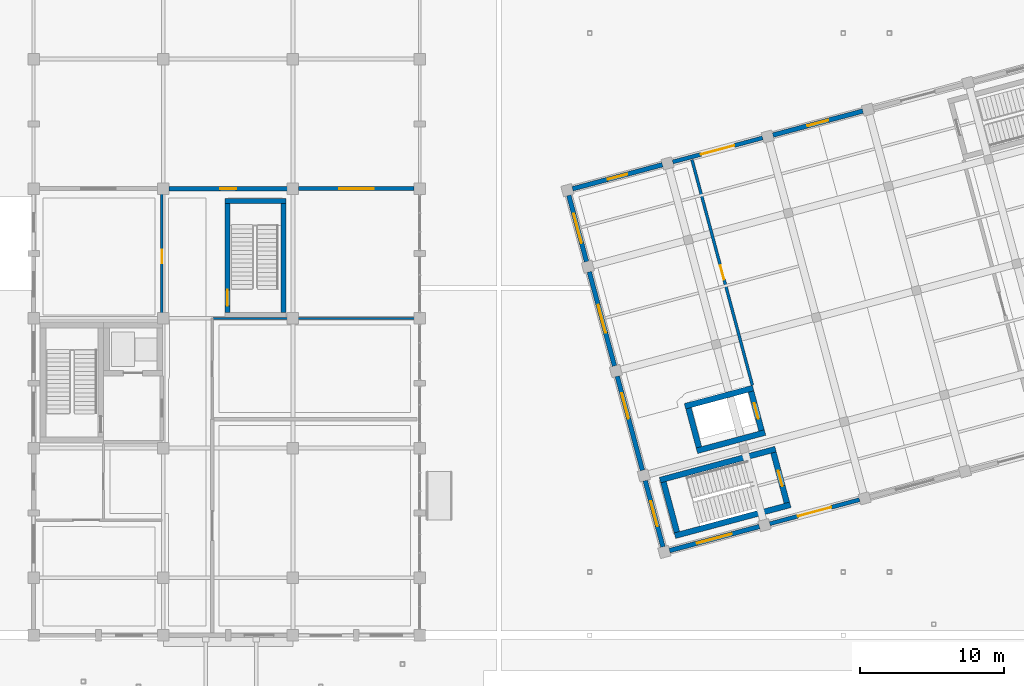
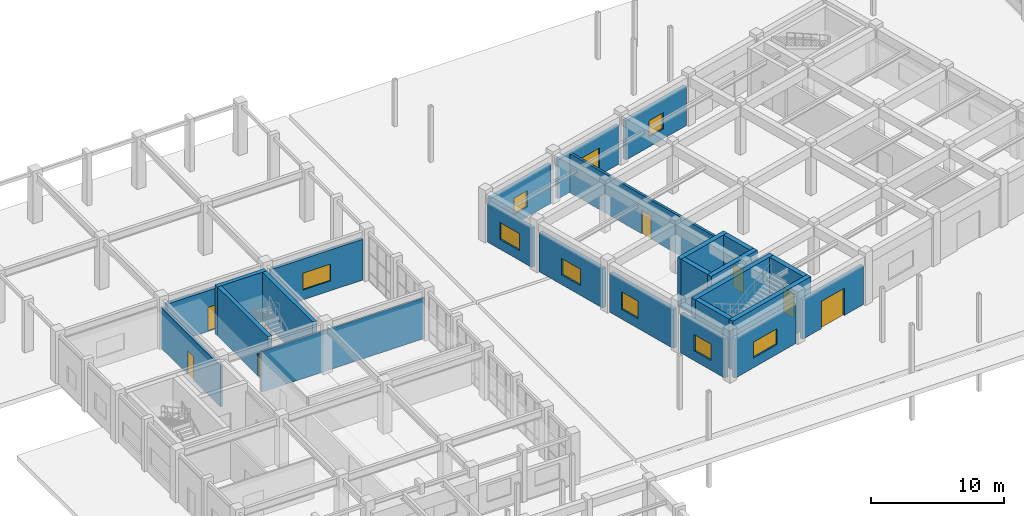
# One storey, part 35 of 47: 25 walls, 8 doors, 8 windows, 16 openings.
"""IFC4 building model written with IfcOpenShell, lengths in metres."""

from ifc_helpers import new_model, si_unit, direction, frame, frame_2d, origin, place, context, subcontext, project, spatial, rectangle, extrude, material, layer, layer_set, type_object, element, fill, save


model = new_model("IFC4")

# Units and contexts
model_context = context("Model", 3, precision=1e-05, world=origin(), true_north=direction((0.0, 1.0)))
body_context = subcontext(model_context, "Body", "Model", "MODEL_VIEW")
ifc_project = project(units=[si_unit("LENGTHUNIT", "METRE"), si_unit("AREAUNIT", "SQUARE_METRE"), si_unit("VOLUMEUNIT", "CUBIC_METRE"), si_unit("PLANEANGLEUNIT", "RADIAN"), si_unit("MASSUNIT", "GRAM", prefix="KILO")], contexts=[model_context])

# Site, building, storey
site_placement = place(None, origin())
site = spatial("IfcSite", under=ifc_project, at=site_placement, CompositionType="ELEMENT")
building_placement = place(site_placement, origin())
building = spatial("IfcBuilding", under=site, at=building_placement, Name="Ventoquebrada Cableway Terminal", CompositionType="ELEMENT")
storey_placement = place(building_placement, origin())
storey = spatial("IfcBuildingStorey", under=building, at=storey_placement, Name="L00", CompositionType="ELEMENT", Elevation=0.0)

# Wall
ifc_material_1 = material(Name="Concrete C40/50", Category="concrete")
ifc_layer_1 = layer(ifc_material_1, 0.39990234375)
ifc_layer_set_1 = layer_set([ifc_layer_1], Name="Concrete C40/50")
wall_type_1 = type_object("IfcWallType", Name="WL-CR1", PredefinedType="SHEAR", material=ifc_layer_set_1)
wall_1_placement = place(storey_placement, frame((52.7109375, 70.912109375, 0.0), z_axis=(0.0, 0.0, 1.0), x_axis=(0.965903141159, 0.258903692322, 0.0)))
element("IfcWall", 1, at=wall_1_placement, inside=storey, type_object=wall_type_1, Name="Core shear wall IW-0097", PredefinedType="SHEAR", context=body_context, shape_type="SweptSolid", body=[
    extrude(rectangle(XDim=8.300048828125, YDim=0.39990234375, at=frame_2d((4.14990234375, 0.0))), origin(), (0.0, 0.0, 1.0), 4.489990234375),
])

# Wall, opening, door
wall_2_placement = place(storey_placement, frame((60.48291015625, 73.201904296875, 0.0), z_axis=(0.0, 0.0, 1.0), x_axis=(-0.258553052639, 0.965997059504, 0.0)))
wall_2 = element("IfcWall", 2, at=wall_2_placement, inside=storey, type_object=wall_type_1, Name="Core shear wall IW-0098", PredefinedType="SHEAR", context=body_context, shape_type="SweptSolid", body=[
    extrude(rectangle(XDim=3.600341796875, YDim=0.39990234375, at=frame_2d((1.80029296875, 0.0))), origin(), (0.0, 0.0, 1.0), 4.489990234375),
])
opening_1_placement = place(wall_2_placement, frame((1.199951171875, 0.0, 0.0)))
opening_1 = element("IfcOpeningElement", 3, at=opening_1_placement, cuts=wall_2, Name="Opening D-012", PredefinedType="OPENING", context=body_context, shape_type="SweptSolid", body=[
    extrude(rectangle(XDim=1.10009765625, YDim=2.199951171875, at=frame_2d((0.550048828125, 1.10009765625))), frame((0.0, 0.2099609375, 0.0), z_axis=(0.0, -1.0, 0.0), x_axis=(1.0, 0.0, 0.0)), (0.0, 0.0, 1.0), 0.419921875),
])
ifc_material_2 = material(Name="Galvanized fire-rated steel door assembly", Category="steel")
door_type_1 = type_object("IfcDoorType", Name="DT-IN05", OperationType="SINGLE_SWING_LEFT", PredefinedType="DOOR", material=ifc_material_2)
door_1_placement = place(opening_1_placement, origin())
door_1 = element("IfcDoor", 4, at=door_1_placement, inside=storey, type_object=door_type_1, Name="Core K2-S stair fire door D-012", OperationType="SINGLE_SWING_LEFT", OverallHeight=2.199951171875, OverallWidth=1.10009765625, PredefinedType="DOOR", context=body_context, shape_type="SweptSolid", body=[
    extrude(rectangle(XDim=1.10009765625, YDim=2.199951171875, at=frame_2d((0.550048828125, 1.10009765625))), frame((0.0, 0.02490234375, 0.0), z_axis=(0.0, -1.0, 0.0), x_axis=(1.0, 0.0, 0.0)), (0.0, 0.0, 1.0), 0.050048828125),
])
fill(opening_1, door_1)

# Walls
wall_3_placement = place(storey_placement, frame((59.693115234375, 76.925048828125, 0.0), z_axis=(0.0, 0.0, 1.0), x_axis=(-0.965895785046, -0.258931134532, 0.0)))
element("IfcWall", 5, at=wall_3_placement, inside=storey, type_object=wall_type_1, Name="Core shear wall IW-0099", PredefinedType="SHEAR", context=body_context, shape_type="SweptSolid", body=[
    extrude(rectangle(XDim=8.300048828125, YDim=0.39990234375, at=frame_2d((4.14990234375, 0.0))), origin(), (0.0, 0.0, 1.0), 4.489990234375),
])
wall_4_placement = place(storey_placement, frame((51.9208984375, 74.635009765625, 0.0), z_axis=(0.0, 0.0, 1.0), x_axis=(0.258616326312, -0.965980121827, 0.0)))
element("IfcWall", 6, at=wall_4_placement, inside=storey, type_object=wall_type_1, Name="Core shear wall IW-0100", PredefinedType="SHEAR", context=body_context, shape_type="SweptSolid", body=[
    extrude(rectangle(XDim=3.6005859375, YDim=0.39990234375, at=frame_2d((1.80029296875, 0.0))), origin(), (0.0, 0.0, 1.0), 4.489990234375),
])
wall_5_placement = place(storey_placement, frame((54.237060546875, 76.80810546875, 0.0), z_axis=(0.0, 0.0, 1.0), x_axis=(0.96589421857, 0.258936977917, 0.0)))
element("IfcWall", 7, at=wall_5_placement, inside=storey, type_object=wall_type_1, Name="Core shear wall IW-0101", PredefinedType="SHEAR", context=body_context, shape_type="SweptSolid", body=[
    extrude(rectangle(XDim=4.900146484375, YDim=0.39990234375, at=frame_2d((2.4501953125, 0.0))), origin(), (0.0, 0.0, 1.0), 4.489990234375),
])

# Wall, opening, door
wall_6_placement = place(storey_placement, frame((58.72509765625, 78.218017578125, 0.0), z_axis=(0.0, 0.0, 1.0), x_axis=(-0.258585009686, 0.965988505504, 0.0)))
wall_6 = element("IfcWall", 8, at=wall_6_placement, inside=storey, type_object=wall_type_1, Name="Core shear wall IW-0102", PredefinedType="SHEAR", context=body_context, shape_type="SweptSolid", body=[
    extrude(rectangle(XDim=2.80029296875, YDim=0.39990234375, at=frame_2d((1.400146484375, 0.0))), origin(), (0.0, 0.0, 1.0), 4.489990234375),
])
opening_2_placement = place(wall_6_placement, frame((0.85009765625, 0.0, 0.0)))
opening_2 = element("IfcOpeningElement", 9, at=opening_2_placement, cuts=wall_6, Name="Opening LD-012", PredefinedType="OPENING", context=body_context, shape_type="SweptSolid", body=[
    extrude(rectangle(XDim=1.10009765625, YDim=2.199951171875, at=frame_2d((0.550048828125, 1.10009765625))), frame((0.0, 0.2099609375, 0.0), z_axis=(0.0, -1.0, 0.0), x_axis=(1.0, 0.0, 0.0)), (0.0, 0.0, 1.0), 0.419921875),
])
ifc_material_3 = material(Name="Brushed stainless steel Grade 316", Category="steel")
door_type_2 = type_object("IfcDoorType", Name="DT-LD01", OperationType="SLIDING_TO_LEFT", PredefinedType="DOOR", material=ifc_material_3)
door_2_placement = place(opening_2_placement, origin())
door_2 = element("IfcDoor", 10, at=door_2_placement, inside=storey, type_object=door_type_2, Name="Lift landing sliding door LD-012", OperationType="SLIDING_TO_LEFT", OverallHeight=2.199951171875, OverallWidth=1.10009765625, PredefinedType="DOOR", context=body_context, shape_type="SweptSolid", body=[
    extrude(rectangle(XDim=1.10009765625, YDim=2.199951171875, at=frame_2d((0.550048828125, 1.10009765625))), frame((0.0, 0.02490234375, 0.0), z_axis=(0.0, -1.0, 0.0), x_axis=(1.0, 0.0, 0.0)), (0.0, 0.0, 1.0), 0.050048828125),
])
fill(opening_2, door_2)

# Walls
wall_7_placement = place(storey_placement, frame((58.14208984375, 81.16796875, 0.0), z_axis=(0.0, 0.0, 1.0), x_axis=(-0.965885097819, -0.258970998012, 0.0)))
element("IfcWall", 11, at=wall_7_placement, inside=storey, type_object=wall_type_1, Name="Core shear wall IW-0103", PredefinedType="SHEAR", context=body_context, shape_type="SweptSolid", body=[
    extrude(rectangle(XDim=4.900390625, YDim=0.39990234375, at=frame_2d((2.4501953125, 0.0))), origin(), (0.0, 0.0, 1.0), 4.489990234375),
])
wall_8_placement = place(storey_placement, frame((53.654052734375, 79.758056640625, 0.0), z_axis=(0.0, 0.0, 1.0), x_axis=(0.258503653459, -0.966010280043, 0.0)))
element("IfcWall", 12, at=wall_8_placement, inside=storey, type_object=wall_type_1, Name="Core shear wall IW-0104", PredefinedType="SHEAR", context=body_context, shape_type="SweptSolid", body=[
    extrude(rectangle(XDim=2.80029296875, YDim=0.39990234375, at=frame_2d((1.400146484375, 0.0))), origin(), (0.0, 0.0, 1.0), 4.489990234375),
])

# Wall, opening, window
ifc_material_4 = material(Name="Precast architectural concrete C40/50", Category="concrete")
ifc_layer_2 = layer(ifc_material_4, 0.280029296875)
ifc_layer_set_2 = layer_set([ifc_layer_2], Name="Precast architectural concrete C40/50")
wall_type_2 = type_object("IfcWallType", Name="WL-EX1", PredefinedType="SOLIDWALL", material=ifc_layer_set_2)
wall_9_placement = place(storey_placement, frame((34.60498046875, 95.0, 0.0), z_axis=(0.0, 0.0, 1.0), x_axis=(-1.0, 0.0, 0.0)))
wall_9 = element("IfcWall", 13, at=wall_9_placement, inside=storey, type_object=wall_type_2, Name="Exterior architectural wall EW-0135", PredefinedType="SOLIDWALL", context=body_context, shape_type="SweptSolid", body=[
    extrude(rectangle(XDim=8.010009765625, YDim=0.280029296875, at=frame_2d((4.0048828125, 0.0))), origin(), (0.0, 0.0, 1.0), 3.7470703125),
])
opening_3_placement = place(wall_9_placement, frame((2.804931640625, 0.0, 0.89990234375)))
opening_3 = element("IfcOpeningElement", 14, at=opening_3_placement, cuts=wall_9, Name="Opening WN-051", PredefinedType="OPENING", context=body_context, shape_type="SweptSolid", body=[
    extrude(rectangle(XDim=2.39990234375, YDim=1.550048828125, at=frame_2d((1.199951171875, 0.77490234375))), frame((0.0, 0.14990234375, 0.0), z_axis=(0.0, -1.0, 0.0), x_axis=(1.0, 0.0, 0.0)), (0.0, 0.0, 1.0), 0.300048828125),
])
ifc_material_5 = material(Name="Double low-e laminated safety glazing", Category="glass")
window_type_1 = type_object("IfcWindowType", Name="WT-11", PartitioningType="SINGLE_PANEL", PredefinedType="WINDOW", material=ifc_material_5)
window_1_placement = place(opening_3_placement, origin())
window_1 = element("IfcWindow", 15, at=window_1_placement, inside=storey, type_object=window_type_1, Name="Architectural punched window WN-051", OverallHeight=1.550048828125, OverallWidth=2.39990234375, PartitioningType="SINGLE_PANEL", PredefinedType="WINDOW", context=body_context, shape_type="SweptSolid", body=[
    extrude(rectangle(XDim=2.39990234375, YDim=1.550048828125, at=frame_2d((1.199951171875, 0.77490234375))), frame((0.0, 0.030029296875, 0.0), z_axis=(0.0, -1.0, 0.0), x_axis=(1.0, 0.0, 0.0)), (0.0, 0.0, 1.0), 0.06005859375),
])
fill(opening_3, window_1)

# Wall, opening, door
wall_10_placement = place(storey_placement, frame((59.2900390625, 71.743896484375, 0.0), z_axis=(0.0, 0.0, 1.0), x_axis=(0.96595901418, 0.258695154429, 0.0)))
wall_10 = element("IfcWall", 16, at=wall_10_placement, inside=storey, type_object=wall_type_2, Name="Exterior architectural wall EW-0284", PredefinedType="SOLIDWALL", context=body_context, shape_type="SweptSolid", body=[
    extrude(rectangle(XDim=6.4599609375, YDim=0.280029296875, at=frame_2d((3.22998046875, 0.0))), origin(), (0.0, 0.0, 1.0), 3.594970703125),
])
opening_4_placement = place(wall_10_placement, frame((2.030029296875, 0.0, 0.0)))
opening_4 = element("IfcOpeningElement", 17, at=opening_4_placement, cuts=wall_10, Name="Opening D-EN-21", PredefinedType="OPENING", context=body_context, shape_type="SweptSolid", body=[
    extrude(rectangle(XDim=2.39990234375, YDim=2.5, at=frame_2d((1.199951171875, 1.25))), frame((0.0, 0.14990234375, 0.0), z_axis=(0.0, -1.0, 0.0), x_axis=(1.0, 0.0, 0.0)), (0.0, 0.0, 1.0), 0.300048828125),
])
ifc_material_6 = material(Name="Galvanized acoustic steel door assembly", Category="steel")
door_type_3 = type_object("IfcDoorType", Name="DT-EX02", OperationType="DOUBLE_SWING_RIGHT", PredefinedType="DOOR", material=ifc_material_6)
door_3_placement = place(opening_4_placement, origin())
door_3 = element("IfcDoor", 18, at=door_3_placement, inside=storey, type_object=door_type_3, Name="Exterior d-en door D-EN-21", OperationType="DOUBLE_SWING_RIGHT", OverallHeight=2.5, OverallWidth=2.39990234375, PredefinedType="DOOR", context=body_context, shape_type="SweptSolid", body=[
    extrude(rectangle(XDim=2.39990234375, YDim=2.5, at=frame_2d((1.199951171875, 1.25))), frame((0.0, 0.02490234375, 0.0), z_axis=(0.0, -1.0, 0.0), x_axis=(1.0, 0.0, 0.0)), (0.0, 0.0, 1.0), 0.050048828125),
])
fill(opening_4, door_3)

wall_11_placement = place(storey_placement, frame((58.801025390625, 98.529052734375, 0.0), z_axis=(0.0, 0.0, 1.0), x_axis=(-0.965969128956, -0.258657383238, 0.0)))
wall_11 = element("IfcWall", 19, at=wall_11_placement, inside=storey, type_object=wall_type_2, Name="Exterior architectural wall EW-0289", PredefinedType="SOLIDWALL", context=body_context, shape_type="SweptSolid", body=[
    extrude(rectangle(XDim=6.4609375, YDim=0.280029296875, at=frame_2d((3.23046875, 0.0))), origin(), (0.0, 0.0, 1.0), 3.594970703125),
])
opening_5_placement = place(wall_11_placement, frame((2.030029296875, 0.0, 0.0)))
opening_5 = element("IfcOpeningElement", 20, at=opening_5_placement, cuts=wall_11, Name="Opening D-EN-23", PredefinedType="OPENING", context=body_context, shape_type="SweptSolid", body=[
    extrude(rectangle(XDim=2.39990234375, YDim=2.5, at=frame_2d((1.199951171875, 1.25))), frame((0.0, 0.14990234375, 0.0), z_axis=(0.0, -1.0, 0.0), x_axis=(1.0, 0.0, 0.0)), (0.0, 0.0, 1.0), 0.300048828125),
])
door_4_placement = place(opening_5_placement, origin())
door_4 = element("IfcDoor", 21, at=door_4_placement, inside=storey, type_object=door_type_3, Name="Exterior d-en door D-EN-23", OperationType="DOUBLE_SWING_RIGHT", OverallHeight=2.5, OverallWidth=2.39990234375, PredefinedType="DOOR", context=body_context, shape_type="SweptSolid", body=[
    extrude(rectangle(XDim=2.39990234375, YDim=2.5, at=frame_2d((1.199951171875, 1.25))), frame((0.0, 0.02490234375, 0.0), z_axis=(0.0, -1.0, 0.0), x_axis=(1.0, 0.0, 0.0)), (0.0, 0.0, 1.0), 0.050048828125),
])
fill(opening_5, door_4)

ifc_layer_3 = layer(ifc_material_4, 0.320068359375)
ifc_layer_set_3 = layer_set([ifc_layer_3], Name="Precast architectural concrete C40/50")
wall_type_3 = type_object("IfcWallType", Name="WL-EX2", PredefinedType="SOLIDWALL", material=ifc_layer_set_3)
wall_12_placement = place(storey_placement, frame((25.804931640625, 95.0, 0.0), z_axis=(0.0, 0.0, 1.0), x_axis=(-1.0, 0.0, 0.0)))
wall_12 = element("IfcWall", 22, at=wall_12_placement, inside=storey, type_object=wall_type_3, Name="Exterior architectural wall EW-0134", PredefinedType="SOLIDWALL", context=body_context, shape_type="SweptSolid", body=[
    extrude(rectangle(XDim=8.2099609375, YDim=0.320068359375, at=frame_2d((4.10498046875, 0.0))), origin(), (0.0, 0.0, 1.0), 3.7470703125),
])
opening_6_placement = place(wall_12_placement, frame((3.554931640625, 0.0, 0.0)))
opening_6 = element("IfcOpeningElement", 23, at=opening_6_placement, cuts=wall_12, Name="Opening D-EX-09", PredefinedType="OPENING", context=body_context, shape_type="SweptSolid", body=[
    extrude(rectangle(XDim=1.10009765625, YDim=2.199951171875, at=frame_2d((0.550048828125, 1.10009765625))), frame((0.0, 0.169921875, 0.0), z_axis=(0.0, -1.0, 0.0), x_axis=(1.0, 0.0, 0.0)), (0.0, 0.0, 1.0), 0.340087890625),
])
door_type_4 = type_object("IfcDoorType", Name="DT-EX04", OperationType="SINGLE_SWING_LEFT", PredefinedType="DOOR", material=ifc_material_6)
door_5_placement = place(opening_6_placement, origin())
door_5 = element("IfcDoor", 24, at=door_5_placement, inside=storey, type_object=door_type_4, Name="Exterior d-ex door D-EX-09", OperationType="SINGLE_SWING_RIGHT", OverallHeight=2.199951171875, OverallWidth=1.10009765625, PredefinedType="DOOR", context=body_context, shape_type="SweptSolid", body=[
    extrude(rectangle(XDim=1.10009765625, YDim=2.199951171875, at=frame_2d((0.550048828125, 1.10009765625))), frame((0.0, 0.02490234375, 0.0), z_axis=(0.0, -1.0, 0.0), x_axis=(1.0, 0.0, 0.0)), (0.0, 0.0, 1.0), 0.050048828125),
])
fill(opening_6, door_5)

# Wall, opening, window
wall_13_placement = place(storey_placement, frame((52.3349609375, 69.8798828125, 0.0), z_axis=(0.0, 0.0, 1.0), x_axis=(0.965931354263, 0.258798413541, 0.0)))
wall_13 = element("IfcWall", 25, at=wall_13_placement, inside=storey, type_object=wall_type_3, Name="Exterior architectural wall EW-0283", PredefinedType="SOLIDWALL", context=body_context, shape_type="SweptSolid", body=[
    extrude(rectangle(XDim=6.461181640625, YDim=0.320068359375, at=frame_2d((3.23046875, 0.0))), origin(), (0.0, 0.0, 1.0), 3.594970703125),
])
opening_7_placement = place(wall_13_placement, frame((1.98095703125, 0.0, 0.89990234375)))
opening_7 = element("IfcOpeningElement", 26, at=opening_7_placement, cuts=wall_13, Name="Opening WN-159", PredefinedType="OPENING", context=body_context, shape_type="SweptSolid", body=[
    extrude(rectangle(XDim=2.5, YDim=1.449951171875, at=frame_2d((1.25, 0.72509765625))), frame((0.0, 0.169921875, 0.0), z_axis=(0.0, -1.0, 0.0), x_axis=(1.0, 0.0, 0.0)), (0.0, 0.0, 1.0), 0.340087890625),
])
window_type_2 = type_object("IfcWindowType", Name="WT-19", PartitioningType="SINGLE_PANEL", PredefinedType="WINDOW", material=ifc_material_5)
window_2_placement = place(opening_7_placement, origin())
window_2 = element("IfcWindow", 27, at=window_2_placement, inside=storey, type_object=window_type_2, Name="Architectural punched window WN-159", OverallHeight=1.449951171875, OverallWidth=2.5, PartitioningType="SINGLE_PANEL", PredefinedType="WINDOW", context=body_context, shape_type="SweptSolid", body=[
    extrude(rectangle(XDim=2.5, YDim=1.449951171875, at=frame_2d((1.25, 0.72509765625))), frame((0.0, 0.030029296875, 0.0), z_axis=(0.0, -1.0, 0.0), x_axis=(1.0, 0.0, 0.0)), (0.0, 0.0, 1.0), 0.06005859375),
])
fill(opening_7, window_2)

wall_14_placement = place(storey_placement, frame((51.845947265625, 96.666015625, 0.0), z_axis=(0.0, 0.0, 1.0), x_axis=(-0.96592122885, -0.258836202371, 0.0)))
wall_14 = element("IfcWall", 28, at=wall_14_placement, inside=storey, type_object=wall_type_3, Name="Exterior architectural wall EW-0288", PredefinedType="SOLIDWALL", context=body_context, shape_type="SweptSolid", body=[
    extrude(rectangle(XDim=6.460205078125, YDim=0.320068359375, at=frame_2d((3.22998046875, 0.0))), origin(), (0.0, 0.0, 1.0), 3.594970703125),
])
opening_8_placement = place(wall_14_placement, frame((2.530029296875, 0.0, 0.89990234375)))
opening_8 = element("IfcOpeningElement", 29, at=opening_8_placement, cuts=wall_14, Name="Opening WN-162", PredefinedType="OPENING", context=body_context, shape_type="SweptSolid", body=[
    extrude(rectangle(XDim=1.39990234375, YDim=1.5, at=frame_2d((0.699951171875, 0.75))), frame((0.0, 0.169921875, 0.0), z_axis=(0.0, -1.0, 0.0), x_axis=(1.0, 0.0, 0.0)), (0.0, 0.0, 1.0), 0.340087890625),
])
window_type_3 = type_object("IfcWindowType", Name="WT-02", PartitioningType="SINGLE_PANEL", PredefinedType="WINDOW", material=ifc_material_5)
window_3_placement = place(opening_8_placement, origin())
window_3 = element("IfcWindow", 30, at=window_3_placement, inside=storey, type_object=window_type_3, Name="Architectural punched window WN-162", OverallHeight=1.5, OverallWidth=1.39990234375, PartitioningType="SINGLE_PANEL", PredefinedType="WINDOW", context=body_context, shape_type="SweptSolid", body=[
    extrude(rectangle(XDim=1.39990234375, YDim=1.5, at=frame_2d((0.699951171875, 0.75))), frame((0.0, 0.030029296875, 0.0), z_axis=(0.0, -1.0, 0.0), x_axis=(1.0, 0.0, 0.0)), (0.0, 0.0, 1.0), 0.06005859375),
])
fill(opening_8, window_3)

wall_15_placement = place(storey_placement, frame((65.756103515625, 100.39306640625, 0.0), z_axis=(0.0, 0.0, 1.0), x_axis=(-0.965933884924, -0.258788967996, 0.0)))
wall_15 = element("IfcWall", 31, at=wall_15_placement, inside=storey, type_object=wall_type_3, Name="Exterior architectural wall EW-0290", PredefinedType="SOLIDWALL", context=body_context, shape_type="SweptSolid", body=[
    extrude(rectangle(XDim=6.46142578125, YDim=0.320068359375, at=frame_2d((3.230712890625, 0.0))), origin(), (0.0, 0.0, 1.0), 3.594970703125),
])
opening_9_placement = place(wall_15_placement, frame((2.48095703125, 0.0, 0.89990234375)))
opening_9 = element("IfcOpeningElement", 32, at=opening_9_placement, cuts=wall_15, Name="Opening WN-163", PredefinedType="OPENING", context=body_context, shape_type="SweptSolid", body=[
    extrude(rectangle(XDim=1.5, YDim=1.5, at=frame_2d((0.75, 0.75))), frame((0.0, 0.169921875, 0.0), z_axis=(0.0, -1.0, 0.0), x_axis=(1.0, 0.0, 0.0)), (0.0, 0.0, 1.0), 0.340087890625),
])
window_type_4 = type_object("IfcWindowType", Name="WT-03", PartitioningType="SINGLE_PANEL", PredefinedType="WINDOW", material=ifc_material_5)
window_4_placement = place(opening_9_placement, origin())
window_4 = element("IfcWindow", 33, at=window_4_placement, inside=storey, type_object=window_type_4, Name="Architectural punched window WN-163", OverallHeight=1.5, OverallWidth=1.5, PartitioningType="SINGLE_PANEL", PredefinedType="WINDOW", context=body_context, shape_type="SweptSolid", body=[
    extrude(rectangle(XDim=1.5, YDim=1.5, at=frame_2d((0.75, 0.75))), frame((0.0, 0.030029296875, 0.0), z_axis=(0.0, -1.0, 0.0), x_axis=(1.0, 0.0, 0.0)), (0.0, 0.0, 1.0), 0.06005859375),
])
fill(opening_9, window_4)

wall_16_placement = place(storey_placement, frame((50.64990234375, 74.739990234375, 0.0), z_axis=(0.0, 0.0, 1.0), x_axis=(0.25880187227, -0.965930427572, 0.0)))
wall_16 = element("IfcWall", 34, at=wall_16_placement, inside=storey, type_object=wall_type_3, Name="Exterior architectural wall EW-0293", PredefinedType="SOLIDWALL", context=body_context, shape_type="SweptSolid", body=[
    extrude(rectangle(XDim=4.760986328125, YDim=0.320068359375, at=frame_2d((2.38037109375, 0.0))), origin(), (0.0, 0.0, 1.0), 3.594970703125),
])
opening_10_placement = place(wall_16_placement, frame((1.48095703125, 0.0, 0.89990234375)))
opening_10 = element("IfcOpeningElement", 35, at=opening_10_placement, cuts=wall_16, Name="Opening WN-165", PredefinedType="OPENING", context=body_context, shape_type="SweptSolid", body=[
    extrude(rectangle(XDim=1.800048828125, YDim=1.5, at=frame_2d((0.89990234375, 0.75))), frame((0.0, 0.169921875, 0.0), z_axis=(0.0, -1.0, 0.0), x_axis=(1.0, 0.0, 0.0)), (0.0, 0.0, 1.0), 0.340087890625),
])
window_type_5 = type_object("IfcWindowType", Name="WT-05", PartitioningType="SINGLE_PANEL", PredefinedType="WINDOW", material=ifc_material_5)
window_5_placement = place(opening_10_placement, origin())
window_5 = element("IfcWindow", 36, at=window_5_placement, inside=storey, type_object=window_type_5, Name="Architectural punched window WN-165", OverallHeight=1.5, OverallWidth=1.800048828125, PartitioningType="SINGLE_PANEL", PredefinedType="WINDOW", context=body_context, shape_type="SweptSolid", body=[
    extrude(rectangle(XDim=1.800048828125, YDim=1.5, at=frame_2d((0.89990234375, 0.75))), frame((0.0, 0.030029296875, 0.0), z_axis=(0.0, -1.0, 0.0), x_axis=(1.0, 0.0, 0.0)), (0.0, 0.0, 1.0), 0.06005859375),
])
fill(opening_10, window_5)

wall_17_placement = place(storey_placement, frame((48.708984375, 81.98388671875, 0.0), z_axis=(0.0, 0.0, 1.0), x_axis=(0.258732474732, -0.965949018592, 0.0)))
wall_17 = element("IfcWall", 37, at=wall_17_placement, inside=storey, type_object=wall_type_3, Name="Exterior architectural wall EW-0294", PredefinedType="SOLIDWALL", context=body_context, shape_type="SweptSolid", body=[
    extrude(rectangle(XDim=6.760009765625, YDim=0.320068359375, at=frame_2d((3.3798828125, 0.0))), origin(), (0.0, 0.0, 1.0), 3.594970703125),
])
opening_11_placement = place(wall_17_placement, frame((1.22998046875, 0.0, 0.89990234375)))
opening_11 = element("IfcOpeningElement", 38, at=opening_11_placement, cuts=wall_17, Name="Opening WN-166", PredefinedType="OPENING", context=body_context, shape_type="SweptSolid", body=[
    extrude(rectangle(XDim=1.800048828125, YDim=1.60009765625, at=frame_2d((0.89990234375, 0.800048828125))), frame((0.0, 0.169921875, 0.0), z_axis=(0.0, -1.0, 0.0), x_axis=(1.0, 0.0, 0.0)), (0.0, 0.0, 1.0), 0.340087890625),
])
window_type_6 = type_object("IfcWindowType", Name="WT-06", PartitioningType="SINGLE_PANEL", PredefinedType="WINDOW", material=ifc_material_5)
window_6_placement = place(opening_11_placement, origin())
window_6 = element("IfcWindow", 39, at=window_6_placement, inside=storey, type_object=window_type_6, Name="Architectural punched window WN-166", OverallHeight=1.60009765625, OverallWidth=1.800048828125, PartitioningType="SINGLE_PANEL", PredefinedType="WINDOW", context=body_context, shape_type="SweptSolid", body=[
    extrude(rectangle(XDim=1.800048828125, YDim=1.60009765625, at=frame_2d((0.89990234375, 0.800048828125))), frame((0.0, 0.030029296875, 0.0), z_axis=(0.0, -1.0, 0.0), x_axis=(1.0, 0.0, 0.0)), (0.0, 0.0, 1.0), 0.06005859375),
])
fill(opening_11, window_6)

wall_18_placement = place(storey_placement, frame((46.76806640625, 89.22900390625, 0.0), z_axis=(0.0, 0.0, 1.0), x_axis=(0.258687351782, -0.965961103786, 0.0)))
wall_18 = element("IfcWall", 40, at=wall_18_placement, inside=storey, type_object=wall_type_3, Name="Exterior architectural wall EW-0295", PredefinedType="SOLIDWALL", context=body_context, shape_type="SweptSolid", body=[
    extrude(rectangle(XDim=6.76123046875, YDim=0.320068359375, at=frame_2d((3.380615234375, 0.0))), origin(), (0.0, 0.0, 1.0), 3.594970703125),
])
opening_12_placement = place(wall_18_placement, frame((2.381103515625, 0.0, 0.89990234375)))
opening_12 = element("IfcOpeningElement", 41, at=opening_12_placement, cuts=wall_18, Name="Opening WN-167", PredefinedType="OPENING", context=body_context, shape_type="SweptSolid", body=[
    extrude(rectangle(XDim=2.0, YDim=1.5, at=frame_2d((1.0, 0.75))), frame((0.0, 0.169921875, 0.0), z_axis=(0.0, -1.0, 0.0), x_axis=(1.0, 0.0, 0.0)), (0.0, 0.0, 1.0), 0.340087890625),
])
window_type_7 = type_object("IfcWindowType", Name="WT-07", PartitioningType="SINGLE_PANEL", PredefinedType="WINDOW", material=ifc_material_5)
window_7_placement = place(opening_12_placement, origin())
window_7 = element("IfcWindow", 42, at=window_7_placement, inside=storey, type_object=window_type_7, Name="Architectural punched window WN-167", OverallHeight=1.5, OverallWidth=2.0, PartitioningType="SINGLE_PANEL", PredefinedType="WINDOW", context=body_context, shape_type="SweptSolid", body=[
    extrude(rectangle(XDim=2.0, YDim=1.5, at=frame_2d((1.0, 0.75))), frame((0.0, 0.030029296875, 0.0), z_axis=(0.0, -1.0, 0.0), x_axis=(1.0, 0.0, 0.0)), (0.0, 0.0, 1.0), 0.06005859375),
])
fill(opening_12, window_7)

wall_19_placement = place(storey_placement, frame((45.344970703125, 94.541015625, 0.0), z_axis=(0.0, 0.0, 1.0), x_axis=(0.258613873776, -0.965980778427, 0.0)))
wall_19 = element("IfcWall", 43, at=wall_19_placement, inside=storey, type_object=wall_type_3, Name="Exterior architectural wall EW-0296", PredefinedType="SOLIDWALL", context=body_context, shape_type="SweptSolid", body=[
    extrude(rectangle(XDim=4.759765625, YDim=0.320068359375, at=frame_2d((2.3798828125, 0.0))), origin(), (0.0, 0.0, 1.0), 3.594970703125),
])
opening_13_placement = place(wall_19_placement, frame((1.330078125, 0.0, 0.89990234375)))
opening_13 = element("IfcOpeningElement", 44, at=opening_13_placement, cuts=wall_19, Name="Opening WN-168", PredefinedType="OPENING", context=body_context, shape_type="SweptSolid", body=[
    extrude(rectangle(XDim=2.10009765625, YDim=1.550048828125, at=frame_2d((1.050048828125, 0.77490234375))), frame((0.0, 0.169921875, 0.0), z_axis=(0.0, -1.0, 0.0), x_axis=(1.0, 0.0, 0.0)), (0.0, 0.0, 1.0), 0.340087890625),
])
window_type_8 = type_object("IfcWindowType", Name="WT-08", PartitioningType="SINGLE_PANEL", PredefinedType="WINDOW", material=ifc_material_5)
window_8_placement = place(opening_13_placement, origin())
window_8 = element("IfcWindow", 45, at=window_8_placement, inside=storey, type_object=window_type_8, Name="Architectural punched window WN-168", OverallHeight=1.550048828125, OverallWidth=2.10009765625, PartitioningType="SINGLE_PANEL", PredefinedType="WINDOW", context=body_context, shape_type="SweptSolid", body=[
    extrude(rectangle(XDim=2.10009765625, YDim=1.550048828125, at=frame_2d((1.050048828125, 0.77490234375))), frame((0.0, 0.030029296875, 0.0), z_axis=(0.0, -1.0, 0.0), x_axis=(1.0, 0.0, 0.0)), (0.0, 0.0, 1.0), 0.06005859375),
])
fill(opening_13, window_8)

# Wall
ifc_material_7 = material(Name="Fire-rated gypsum partition board on steel framing", Category="steel")
ifc_layer_4 = layer(ifc_material_7, 0.14990234375)
ifc_layer_set_4 = layer_set([ifc_layer_4], Name="Fire-rated gypsum partition board on steel framing")
wall_type_4 = type_object("IfcWallType", Name="WL-PT2", PredefinedType="PARTITIONING", material=ifc_layer_set_4)
wall_20_placement = place(storey_placement, frame((20.657958984375, 86.0, 0.0), z_axis=(0.0, 0.0, 1.0), x_axis=(1.0, 0.0, 0.0)))
element("IfcWall", 46, at=wall_20_placement, inside=storey, type_object=wall_type_4, Name="Interior partition IW-0332", PredefinedType="PARTITIONING", context=body_context, shape_type="SweptSolid", body=[
    extrude(rectangle(XDim=14.14208984375, YDim=0.14990234375, at=frame_2d((7.071044921875, 0.0))), origin(), (0.0, 0.0, 1.0), 3.737060546875),
])

# Wall, opening, door
ifc_layer_5 = layer(ifc_material_7, 0.179931640625)
ifc_layer_set_5 = layer_set([ifc_layer_5], Name="Fire-rated gypsum partition board on steel framing")
wall_type_5 = type_object("IfcWallType", Name="WL-PT3", PredefinedType="STANDARD", material=ifc_layer_set_5)
wall_21_placement = place(storey_placement, frame((17.10009765625, 85.800048828125, 0.0), z_axis=(0.0, 0.0, 1.0), x_axis=(0.0, 1.0, 0.0)))
wall_21 = element("IfcWall", 47, at=wall_21_placement, inside=storey, type_object=wall_type_5, Name="Interior partition IW-0333", PredefinedType="STANDARD", context=body_context, shape_type="SweptSolid", body=[
    extrude(rectangle(XDim=9.0, YDim=0.179931640625, at=frame_2d((4.5, 0.0))), origin(), (0.0, 0.0, 1.0), 3.737060546875),
])
opening_14_placement = place(wall_21_placement, frame((4.02490234375, 0.0, 0.0)))
opening_14 = element("IfcOpeningElement", 48, at=opening_14_placement, cuts=wall_21, Name="Opening D-072", PredefinedType="OPENING", context=body_context, shape_type="SweptSolid", body=[
    extrude(rectangle(XDim=0.949951171875, YDim=2.14990234375, at=frame_2d((0.47509765625, 1.074951171875))), frame((0.0, 0.099853515625, 0.0), z_axis=(0.0, -1.0, 0.0), x_axis=(1.0, 0.0, 0.0)), (0.0, 0.0, 1.0), 0.199951171875),
])
ifc_material_8 = material(Name="Fire-retardant oak acoustic door leaf")
door_type_5 = type_object("IfcDoorType", Name="DT-IN01", OperationType="SINGLE_SWING_LEFT", PredefinedType="DOOR", material=ifc_material_8)
door_6_placement = place(opening_14_placement, origin())
door_6 = element("IfcDoor", 49, at=door_6_placement, inside=storey, type_object=door_type_5, Name="Outfitter Studio Door D-072", OperationType="SINGLE_SWING_LEFT", OverallHeight=2.14990234375, OverallWidth=0.949951171875, PredefinedType="DOOR", context=body_context, shape_type="SweptSolid", body=[
    extrude(rectangle(XDim=0.949951171875, YDim=2.14990234375, at=frame_2d((0.47509765625, 1.074951171875))), frame((0.0, 0.02490234375, 0.0), z_axis=(0.0, -1.0, 0.0), x_axis=(1.0, 0.0, 0.0)), (0.0, 0.0, 1.0), 0.050048828125),
])
fill(opening_14, door_6)

ifc_material_9 = material(Name="Autoclaved aerated concrete blockwork", Category="masonry")
ifc_layer_6 = layer(ifc_material_9, 0.199951171875)
ifc_layer_set_6 = layer_set([ifc_layer_6], Name="Autoclaved aerated concrete blockwork")
wall_type_6 = type_object("IfcWallType", Name="WL-PT4", PredefinedType="PARTITIONING", material=ifc_layer_set_6)
wall_22_placement = place(storey_placement, frame((58.090087890625, 81.35888671875, 0.0), z_axis=(0.0, 0.0, 1.0), x_axis=(-0.258800106385, 0.965930900704, 0.0)))
wall_22 = element("IfcWall", 50, at=wall_22_placement, inside=storey, type_object=wall_type_6, Name="Interior partition IW-0334", PredefinedType="PARTITIONING", context=body_context, shape_type="SweptSolid", body=[
    extrude(rectangle(XDim=16.2021484375, YDim=0.199951171875, at=frame_2d((8.10107421875, 0.0))), origin(), (0.0, 0.0, 1.0), 3.5849609375),
])
opening_15_placement = place(wall_22_placement, frame((7.60107421875, 0.0, 0.0)))
opening_15 = element("IfcOpeningElement", 51, at=opening_15_placement, cuts=wall_22, Name="Opening D-073", PredefinedType="OPENING", context=body_context, shape_type="SweptSolid", body=[
    extrude(rectangle(XDim=1.0, YDim=2.14990234375, at=frame_2d((0.5, 1.074951171875))), frame((0.0, 0.10986328125, 0.0), z_axis=(0.0, -1.0, 0.0), x_axis=(1.0, 0.0, 0.0)), (0.0, 0.0, 1.0), 0.219970703125),
])
door_type_6 = type_object("IfcDoorType", Name="DT-IN02", OperationType="SINGLE_SWING_RIGHT", PredefinedType="DOOR", material=ifc_material_8)
door_7_placement = place(opening_15_placement, origin())
door_7 = element("IfcDoor", 52, at=door_7_placement, inside=storey, type_object=door_type_6, Name="Pass Enrollment Door D-073", OperationType="SINGLE_SWING_RIGHT", OverallHeight=2.14990234375, OverallWidth=1.0, PredefinedType="DOOR", context=body_context, shape_type="SweptSolid", body=[
    extrude(rectangle(XDim=1.0, YDim=2.14990234375, at=frame_2d((0.5, 1.074951171875))), frame((0.0, 0.02490234375, 0.0), z_axis=(0.0, -1.0, 0.0), x_axis=(1.0, 0.0, 0.0)), (0.0, 0.0, 1.0), 0.050048828125),
])
fill(opening_15, door_7)

# Walls
ifc_layer_7 = layer(ifc_material_1, 0.35009765625)
ifc_layer_set_7 = layer_set([ifc_layer_7], Name="Concrete C40/50")
wall_type_7 = type_object("IfcWallType", Name="WL-SH1", PredefinedType="SHEAR", material=ifc_layer_set_7)
wall_23_placement = place(storey_placement, frame((25.550048828125, 86.425048828125, 0.0), z_axis=(0.0, 0.0, 1.0), x_axis=(0.0, 1.0, 0.0)))
element("IfcWall", 53, at=wall_23_placement, inside=storey, type_object=wall_type_7, Name="Core shear wall IW-0210", PredefinedType="SHEAR", context=body_context, shape_type="SweptSolid", body=[
    extrude(rectangle(XDim=7.550048828125, YDim=0.35009765625, at=frame_2d((3.77490234375, 0.0))), origin(), (0.0, 0.0, 1.0), 4.489990234375),
])
wall_24_placement = place(storey_placement, frame((25.72509765625, 94.14990234375, 0.0), z_axis=(0.0, 0.0, 1.0), x_axis=(-1.0, 0.0, 0.0)))
element("IfcWall", 54, at=wall_24_placement, inside=storey, type_object=wall_type_7, Name="Core shear wall IW-0211", PredefinedType="SHEAR", context=body_context, shape_type="SweptSolid", body=[
    extrude(rectangle(XDim=4.25, YDim=0.35009765625, at=frame_2d((2.125, 0.0))), origin(), (0.0, 0.0, 1.0), 4.489990234375),
])

# Wall, opening, door
wall_25_placement = place(storey_placement, frame((21.64990234375, 93.97509765625, 0.0), z_axis=(0.0, 0.0, 1.0), x_axis=(0.0, -1.0, 0.0)))
wall_25 = element("IfcWall", 55, at=wall_25_placement, inside=storey, type_object=wall_type_7, Name="Core shear wall IW-0212", PredefinedType="SHEAR", context=body_context, shape_type="SweptSolid", body=[
    extrude(rectangle(XDim=7.550048828125, YDim=0.35009765625, at=frame_2d((3.77490234375, 0.0))), origin(), (0.0, 0.0, 1.0), 4.489990234375),
])
opening_16_placement = place(wall_25_placement, frame((6.0, 0.0, 0.0)))
opening_16 = element("IfcOpeningElement", 56, at=opening_16_placement, cuts=wall_25, Name="Opening D-028", PredefinedType="OPENING", context=body_context, shape_type="SweptSolid", body=[
    extrude(rectangle(XDim=1.10009765625, YDim=2.199951171875, at=frame_2d((0.550048828125, 1.10009765625))), frame((0.0, 0.18505859375, 0.0), z_axis=(0.0, -1.0, 0.0), x_axis=(1.0, 0.0, 0.0)), (0.0, 0.0, 1.0), 0.3701171875),
])
door_8_placement = place(opening_16_placement, origin())
door_8 = element("IfcDoor", 57, at=door_8_placement, inside=storey, type_object=door_type_1, Name="Core V3-SEC stair fire door D-028", OperationType="SINGLE_SWING_LEFT", OverallHeight=2.199951171875, OverallWidth=1.10009765625, PredefinedType="DOOR", context=body_context, shape_type="SweptSolid", body=[
    extrude(rectangle(XDim=1.10009765625, YDim=2.199951171875, at=frame_2d((0.550048828125, 1.10009765625))), frame((0.0, 0.02490234375, 0.0), z_axis=(0.0, -1.0, 0.0), x_axis=(1.0, 0.0, 0.0)), (0.0, 0.0, 1.0), 0.050048828125),
])
fill(opening_16, door_8)

save(model, "model.ifc")
